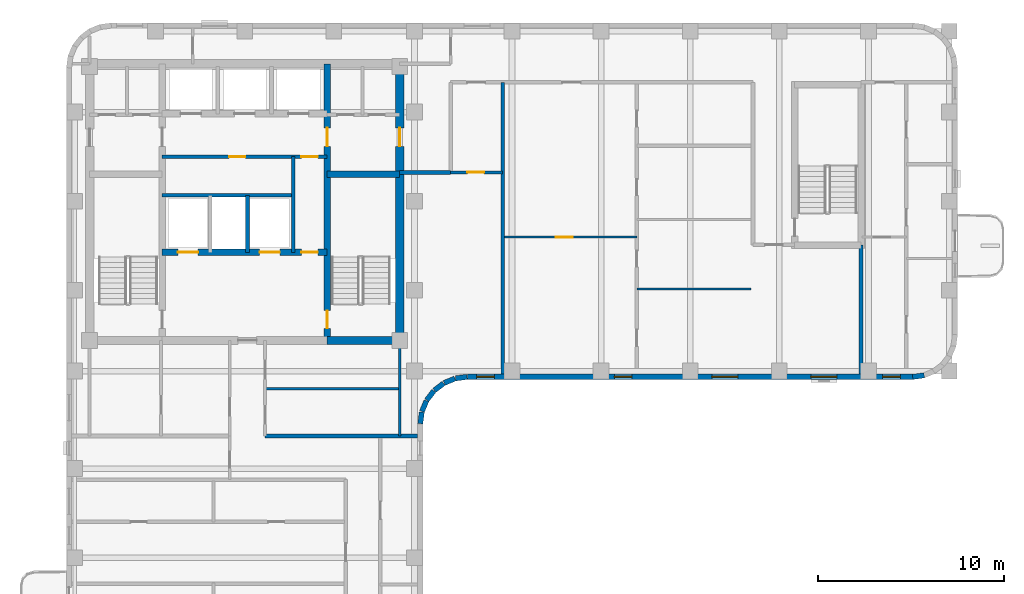
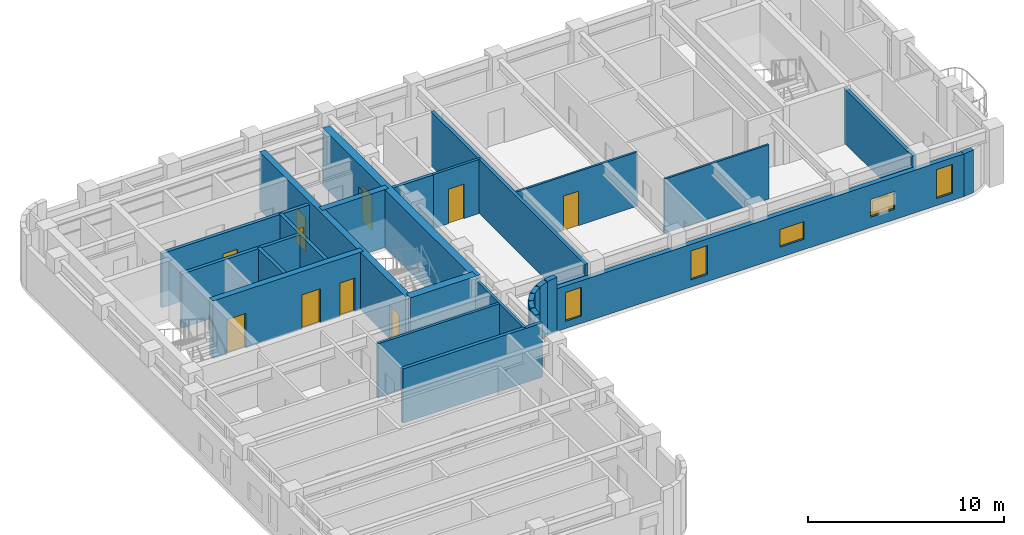
# One storey, part 4 of 10: 26 walls, 10 doors, 5 windows, 15 openings.
"""IFC4 building model written with IfcOpenShell, lengths in metres."""

from ifc_helpers import new_model, si_unit, direction, frame, frame_2d, origin, place, context, subcontext, project, spatial, rectangle, extrude, material, layer, layer_set, type_object, element, fill, save


model = new_model("IFC4")

# Units and contexts
model_context = context("Model", 3, precision=1e-05, world=origin(), true_north=direction((0.0, 1.0)))
body_context = subcontext(model_context, "Body", "Model", "MODEL_VIEW")
ifc_project = project(units=[si_unit("LENGTHUNIT", "METRE"), si_unit("AREAUNIT", "SQUARE_METRE"), si_unit("VOLUMEUNIT", "CUBIC_METRE"), si_unit("PLANEANGLEUNIT", "RADIAN"), si_unit("MASSUNIT", "GRAM", prefix="KILO")], contexts=[model_context])

# Site, building, storey
site_placement = place(None, origin())
site = spatial("IfcSite", under=ifc_project, at=site_placement, CompositionType="ELEMENT")
building_placement = place(site_placement, origin())
building = spatial("IfcBuilding", under=site, at=building_placement, Name="Orvandelia Arch Residences", CompositionType="ELEMENT")
storey_placement = place(building_placement, frame((0.0, 0.0, 229.0)))
storey = spatial("IfcBuildingStorey", under=building, at=storey_placement, Name="L60", CompositionType="ELEMENT", Elevation=229.0)

# Wall, openings, doors
ifc_material_1 = material(Name="Concrete C50/60", Category="concrete")
ifc_layer_1 = layer(ifc_material_1, 0.35009765625, Name="Concrete C50/60", Category="concrete")
ifc_layer_set_1 = layer_set([ifc_layer_1], Name="Concrete C50/60")
wall_type_1 = type_object("IfcWallType", Name="WL-CORE-350", PredefinedType="SHEAR", material=ifc_layer_set_1)
wall_1_placement = place(storey_placement, frame((18.840087890625, 30.89990234375, 0.0), z_axis=(0.0, 0.0, 1.0), x_axis=(0.0, 1.0, 0.0)))
wall_1 = element("IfcWall", 1, at=wall_1_placement, inside=storey, type_object=wall_type_1, Name="Core Shear Wall L60-WEB2", PredefinedType="SHEAR", context=body_context, shape_type="SweptSolid", body=[
    extrude(rectangle(XDim=14.900146484375, YDim=0.35009765625, at=frame_2d((7.4501953125, 0.0))), origin(), (0.0, 0.0, 1.0), 3.60009765625),
])
opening_1_placement = place(wall_1_placement, frame((0.64990234375, 0.0, 0.0)))
opening_1 = element("IfcOpeningElement", 2, at=opening_1_placement, cuts=wall_1, Name="Opening D7", PredefinedType="OPENING", context=body_context, shape_type="SweptSolid", body=[
    extrude(rectangle(XDim=0.949951171875, YDim=2.10009765625, at=frame_2d((0.47509765625, 1.050048828125))), frame((0.0, 0.18505859375, 0.0), z_axis=(0.0, -1.0, 0.0), x_axis=(1.0, 0.0, 0.0)), (0.0, 0.0, 1.0), 0.3701171875),
])
opening_2_placement = place(wall_1_placement, frame((10.449951171875, 0.0, 0.0)))
opening_2 = element("IfcOpeningElement", 3, at=opening_2_placement, cuts=wall_1, Name="Opening D6", PredefinedType="OPENING", context=body_context, shape_type="SweptSolid", body=[
    extrude(rectangle(XDim=1.0, YDim=2.14990234375, at=frame_2d((0.5, 1.074951171875))), frame((0.0, 0.18505859375, 0.0), z_axis=(0.0, -1.0, 0.0), x_axis=(1.0, 0.0, 0.0)), (0.0, 0.0, 1.0), 0.3701171875),
])
ifc_material_2 = material(Name="Smokeproof Painted Steel Fire Door", Category="steel")
door_type_1 = type_object("IfcDoorType", Name="DR-FD60-1000", OperationType="NOTDEFINED", PredefinedType="DOOR", material=ifc_material_2)
door_1_placement = place(opening_2_placement, origin())
door_1 = element("IfcDoor", 4, at=door_1_placement, inside=storey, type_object=door_type_1, Name="High-Rise Lift Hall East Vestibule Door L60", OperationType="SINGLE_SWING_RIGHT", OverallHeight=2.14990234375, OverallWidth=1.0, PredefinedType="DOOR", context=body_context, shape_type="SweptSolid", body=[
    extrude(rectangle(XDim=1.0, YDim=2.14990234375, at=frame_2d((0.5, 1.074951171875))), frame((0.0, 0.02490234375, 0.0), z_axis=(0.0, -1.0, 0.0), x_axis=(1.0, 0.0, 0.0)), (0.0, 0.0, 1.0), 0.050048828125),
])
fill(opening_2, door_1)
ifc_material_3 = material(Name="Pressurised Stairwell Fire Door")
door_type_2 = type_object("IfcDoorType", Name="DR-STAIR-950", OperationType="NOTDEFINED", PredefinedType="DOOR", material=ifc_material_3)
door_2_placement = place(opening_1_placement, origin())
door_2 = element("IfcDoor", 5, at=door_2_placement, inside=storey, type_object=door_type_2, Name="Stairwell ST-2 Fire Door L60", OperationType="SINGLE_SWING_RIGHT", OverallHeight=2.10009765625, OverallWidth=0.949951171875, PredefinedType="DOOR", context=body_context, shape_type="SweptSolid", body=[
    extrude(rectangle(XDim=0.949951171875, YDim=2.10009765625, at=frame_2d((0.47509765625, 1.050048828125))), frame((0.0, 0.02490234375, 0.0), z_axis=(0.0, -1.0, 0.0), x_axis=(1.0, 0.0, 0.0)), (0.0, 0.0, 1.0), 0.050048828125),
])
fill(opening_1, door_2)

# Wall
wall_2_placement = place(storey_placement, frame((18.840087890625, 39.85009765625, 0.0), z_axis=(0.0, 0.0, 1.0), x_axis=(1.0, 0.0, 0.0)))
element("IfcWall", 6, at=wall_2_placement, inside=storey, type_object=wall_type_1, Name="Core Shear Wall L60-HZ2", PredefinedType="SHEAR", context=body_context, shape_type="SweptSolid", body=[
    extrude(rectangle(XDim=3.909912109375, YDim=0.35009765625, at=frame_2d((1.955078125, 0.0))), origin(), (0.0, 0.0, 1.0), 3.60009765625),
])

# Wall, openings, doors
wall_3_placement = place(storey_placement, frame((9.9599609375, 35.64990234375, 0.0), z_axis=(0.0, 0.0, 1.0), x_axis=(1.0, 0.0, 0.0)))
wall_3 = element("IfcWall", 7, at=wall_3_placement, inside=storey, type_object=wall_type_1, Name="Core Shear Wall L60-HZ3", PredefinedType="SHEAR", context=body_context, shape_type="SweptSolid", body=[
    extrude(rectangle(XDim=8.880126953125, YDim=0.35009765625, at=frame_2d((4.43994140625, 0.0))), origin(), (0.0, 0.0, 1.0), 3.60009765625),
])
opening_3_placement = place(wall_3_placement, frame((0.840087890625, 0.0, 0.0)))
opening_3 = element("IfcOpeningElement", 8, at=opening_3_placement, cuts=wall_3, Name="Opening FLD", PredefinedType="OPENING", context=body_context, shape_type="SweptSolid", body=[
    extrude(rectangle(XDim=1.10009765625, YDim=2.14990234375, at=frame_2d((0.550048828125, 1.074951171875))), frame((0.0, 0.18505859375, 0.0), z_axis=(0.0, -1.0, 0.0), x_axis=(1.0, 0.0, 0.0)), (0.0, 0.0, 1.0), 0.3701171875),
])
opening_4_placement = place(wall_3_placement, frame((5.239990234375, 0.0, 0.0)))
opening_4 = element("IfcOpeningElement", 9, at=opening_4_placement, cuts=wall_3, Name="Opening FLD", PredefinedType="OPENING", context=body_context, shape_type="SweptSolid", body=[
    extrude(rectangle(XDim=1.10009765625, YDim=2.14990234375, at=frame_2d((0.550048828125, 1.074951171875))), frame((0.0, 0.18505859375, 0.0), z_axis=(0.0, -1.0, 0.0), x_axis=(1.0, 0.0, 0.0)), (0.0, 0.0, 1.0), 0.3701171875),
])
opening_5_placement = place(wall_3_placement, frame((7.5, 0.0, 0.0)))
opening_5 = element("IfcOpeningElement", 10, at=opening_5_placement, cuts=wall_3, Name="Opening D5", PredefinedType="OPENING", context=body_context, shape_type="SweptSolid", body=[
    extrude(rectangle(XDim=0.8798828125, YDim=2.10009765625, at=frame_2d((0.43994140625, 1.050048828125))), frame((0.0, 0.18505859375, 0.0), z_axis=(0.0, -1.0, 0.0), x_axis=(1.0, 0.0, 0.0)), (0.0, 0.0, 1.0), 0.3701171875),
])
ifc_material_4 = material(Name="Firefighting Lift Stainless Sliding Door")
door_type_3 = type_object("IfcDoorType", Name="DR-FLFT-1100", OperationType="NOTDEFINED", PredefinedType="DOOR", material=ifc_material_4)
door_3_placement = place(opening_3_placement, origin())
door_3 = element("IfcDoor", 11, at=door_3_placement, inside=storey, type_object=door_type_3, Name="Firefighting Lift Landing Door FLD-FL1-L60", OperationType="SLIDING_TO_LEFT", OverallHeight=2.14990234375, OverallWidth=1.10009765625, PredefinedType="DOOR", context=body_context, shape_type="SweptSolid", body=[
    extrude(rectangle(XDim=1.10009765625, YDim=2.14990234375, at=frame_2d((0.550048828125, 1.074951171875))), frame((0.0, 0.02490234375, 0.0), z_axis=(0.0, -1.0, 0.0), x_axis=(1.0, 0.0, 0.0)), (0.0, 0.0, 1.0), 0.050048828125),
])
fill(opening_3, door_3)
door_4_placement = place(opening_4_placement, origin())
door_4 = element("IfcDoor", 12, at=door_4_placement, inside=storey, type_object=door_type_3, Name="Firefighting Lift Landing Door FLD-FL2-L60", OperationType="SLIDING_TO_RIGHT", OverallHeight=2.14990234375, OverallWidth=1.10009765625, PredefinedType="DOOR", context=body_context, shape_type="SweptSolid", body=[
    extrude(rectangle(XDim=1.10009765625, YDim=2.14990234375, at=frame_2d((0.550048828125, 1.074951171875))), frame((0.0, 0.02490234375, 0.0), z_axis=(0.0, -1.0, 0.0), x_axis=(1.0, 0.0, 0.0)), (0.0, 0.0, 1.0), 0.050048828125),
])
fill(opening_4, door_4)
ifc_material_5 = material(Name="Painted Galvanised Steel Service Door", Category="steel")
door_type_4 = type_object("IfcDoorType", Name="DR-SRV-880", OperationType="NOTDEFINED", PredefinedType="DOOR", material=ifc_material_5)
door_5_placement = place(opening_5_placement, origin())
door_5 = element("IfcDoor", 13, at=door_5_placement, inside=storey, type_object=door_type_4, Name="Core Stairway Passage South Fire Door L60", OperationType="SINGLE_SWING_LEFT", OverallHeight=2.10009765625, OverallWidth=0.8798828125, PredefinedType="DOOR", context=body_context, shape_type="SweptSolid", body=[
    extrude(rectangle(XDim=0.8798828125, YDim=2.10009765625, at=frame_2d((0.43994140625, 1.050048828125))), frame((0.0, 0.02490234375, 0.0), z_axis=(0.0, -1.0, 0.0), x_axis=(1.0, 0.0, 0.0)), (0.0, 0.0, 1.0), 0.050048828125),
])
fill(opening_5, door_5)

# Wall, opening, door
ifc_layer_2 = layer(ifc_material_1, 0.449951171875, Name="Concrete C50/60", Category="concrete")
ifc_layer_set_2 = layer_set([ifc_layer_2], Name="Concrete C50/60")
wall_type_2 = type_object("IfcWallType", Name="WL-CORE-450", PredefinedType="SHEAR", material=ifc_layer_set_2)
wall_4_placement = place(storey_placement, frame((22.75, 30.675048828125, 0.0), z_axis=(0.0, 0.0, 1.0), x_axis=(0.0, 1.0, 0.0)))
wall_4 = element("IfcWall", 14, at=wall_4_placement, inside=storey, type_object=wall_type_2, Name="Core Shear Wall L60-E", PredefinedType="SHEAR", context=body_context, shape_type="SweptSolid", body=[
    extrude(rectangle(XDim=15.349853515625, YDim=0.449951171875, at=frame_2d((7.6748046875, 0.0))), origin(), (0.0, 0.0, 1.0), 3.60009765625),
])
opening_6_placement = place(wall_4_placement, frame((10.675048828125, 0.0, 0.0)))
opening_6 = element("IfcOpeningElement", 15, at=opening_6_placement, cuts=wall_4, Name="Opening D6", PredefinedType="OPENING", context=body_context, shape_type="SweptSolid", body=[
    extrude(rectangle(XDim=1.0, YDim=2.14990234375, at=frame_2d((0.5, 1.074951171875))), frame((0.0, 0.23486328125, 0.0), z_axis=(0.0, -1.0, 0.0), x_axis=(1.0, 0.0, 0.0)), (0.0, 0.0, 1.0), 0.469970703125),
])
door_6_placement = place(opening_6_placement, origin())
door_6 = element("IfcDoor", 16, at=door_6_placement, inside=storey, type_object=door_type_1, Name="Core East Corridor Link Door L60", OperationType="SINGLE_SWING_LEFT", OverallHeight=2.14990234375, OverallWidth=1.0, PredefinedType="DOOR", context=body_context, shape_type="SweptSolid", body=[
    extrude(rectangle(XDim=1.0, YDim=2.14990234375, at=frame_2d((0.5, 1.074951171875))), frame((0.0, 0.02490234375, 0.0), z_axis=(0.0, -1.0, 0.0), x_axis=(1.0, 0.0, 0.0)), (0.0, 0.0, 1.0), 0.050048828125),
])
fill(opening_6, door_6)

# Walls
wall_5_placement = place(storey_placement, frame((18.840087890625, 30.89990234375, 0.0), z_axis=(0.0, 0.0, 1.0), x_axis=(1.0, 0.0, 0.0)))
element("IfcWall", 17, at=wall_5_placement, inside=storey, type_object=wall_type_2, Name="Core Shear Wall L60-SE", PredefinedType="SHEAR", context=body_context, shape_type="SweptSolid", body=[
    extrude(rectangle(XDim=3.909912109375, YDim=0.449951171875, at=frame_2d((1.955078125, 0.0))), origin(), (0.0, 0.0, 1.0), 3.60009765625),
])
ifc_material_6 = material(Name="Fire-Rated Corridor Partition")
ifc_layer_3 = layer(ifc_material_6, 0.199951171875, Name="Fire-Rated Corridor Partition")
ifc_layer_set_3 = layer_set([ifc_layer_3], Name="Fire-Rated Corridor Partition")
wall_type_3 = type_object("IfcWallType", Name="WL-CORR-200", PredefinedType="PARTITIONING", material=ifc_layer_set_3)
wall_6_placement = place(storey_placement, frame((15.5, 25.75, 0.0), z_axis=(0.0, 0.0, 1.0), x_axis=(1.0, 0.0, 0.0)))
element("IfcWall", 18, at=wall_6_placement, inside=storey, type_object=wall_type_3, Name="Interior Partition Wall WL-L60-WLNK-NE", PredefinedType="PARTITIONING", context=body_context, shape_type="SweptSolid", body=[
    extrude(rectangle(XDim=8.219970703125, YDim=0.199951171875, at=frame_2d((4.10986328125, 0.0))), origin(), (0.0, 0.0, 1.0), 3.3798828125),
])
wall_7_placement = place(storey_placement, frame((22.75, 39.949951171875, 0.0), z_axis=(0.0, 0.0, 1.0), x_axis=(1.0, 0.0, 0.0)))
element("IfcWall", 19, at=wall_7_placement, inside=storey, type_object=wall_type_3, Name="Interior Partition Wall WL-L60-EN2-LS", PredefinedType="PARTITIONING", context=body_context, shape_type="SweptSolid", body=[
    extrude(rectangle(XDim=2.75, YDim=0.199951171875, at=frame_2d((1.375, 0.0))), origin(), (0.0, 0.0, 1.0), 3.3798828125),
])
ifc_material_7 = material(Name="Concrete C40/50", Category="concrete")
ifc_layer_4 = layer(ifc_material_7, 0.199951171875, Name="Concrete C40/50", Category="concrete")
ifc_layer_set_4 = layer_set([ifc_layer_4], Name="Concrete C40/50")
wall_type_4 = type_object("IfcWallType", Name="WL-DEM-200", PredefinedType="SOLIDWALL", material=ifc_layer_set_4)
wall_8_placement = place(storey_placement, frame((28.300048828125, 29.080078125, 0.0), z_axis=(0.0, 0.0, 1.0), x_axis=(0.0, 1.0, 0.0)))
element("IfcWall", 20, at=wall_8_placement, inside=storey, type_object=wall_type_4, Name="Interior Partition Wall WL-L60-EN2-KLE", PredefinedType="SOLIDWALL", context=body_context, shape_type="SweptSolid", body=[
    extrude(rectangle(XDim=15.719970703125, YDim=0.199951171875, at=frame_2d((7.85986328125, 0.0))), origin(), (0.0, 0.0, 1.0), 3.3798828125),
])
wall_9_placement = place(storey_placement, frame((47.60009765625, 29.080078125, 0.0), z_axis=(0.0, 0.0, 1.0), x_axis=(0.0, 1.0, 0.0)))
element("IfcWall", 21, at=wall_9_placement, inside=storey, type_object=wall_type_4, Name="Interior Partition Wall WL-L60-EN2-SLE", PredefinedType="SOLIDWALL", context=body_context, shape_type="SweptSolid", body=[
    extrude(rectangle(XDim=6.9599609375, YDim=0.199951171875, at=frame_2d((3.47998046875, 0.0))), origin(), (0.0, 0.0, 1.0), 3.3798828125),
])
ifc_material_8 = material(Name="Precast concrete C40/50", Category="concrete")
ifc_layer_5 = layer(ifc_material_8, 0.280029296875, Name="Precast concrete C40/50", Category="concrete")
ifc_layer_set_5 = layer_set([ifc_layer_5], Name="Precast concrete C40/50")
wall_type_5 = type_object("IfcWallType", Name="WL-EXT-STONE-280", PredefinedType="STANDARD", material=ifc_layer_set_5)
wall_10_placement = place(storey_placement, frame((51.0029296875, 29.0205078125, 0.0), z_axis=(0.0, 0.0, 1.0), x_axis=(-0.991447664465, -0.130504898859, 0.0)))
element("IfcWall", 22, at=wall_10_placement, inside=storey, type_object=wall_type_5, Name="Coral-Limestone Precast Facade Wall L60-020", PredefinedType="STANDARD", context=body_context, shape_type="SweptSolid", body=[
    extrude(rectangle(XDim=0.626708984375, YDim=0.280029296875, at=frame_2d((0.3134765625, 0.0))), origin(), (0.0, 0.0, 1.0), 2.659912109375),
])

# Wall, openings, windows
wall_11_placement = place(storey_placement, frame((50.39990234375, 28.93994140625, 0.0), z_axis=(0.0, 0.0, 1.0), x_axis=(-1.0, 0.0, 0.0)))
wall_11 = element("IfcWall", 23, at=wall_11_placement, inside=storey, type_object=wall_type_5, Name="Coral-Limestone Precast Facade Wall L60-021", PredefinedType="STANDARD", context=body_context, shape_type="SweptSolid", body=[
    extrude(rectangle(XDim=24.0, YDim=0.280029296875, at=frame_2d((12.0, 0.0))), origin(), (0.0, 0.0, 1.0), 2.659912109375),
])
opening_7_placement = place(wall_11_placement, frame((9.4375, 0.0, 0.64990234375)))
opening_7 = element("IfcOpeningElement", 24, at=opening_7_placement, cuts=wall_11, Name="Opening W10", PredefinedType="OPENING", context=body_context, shape_type="SweptSolid", body=[
    extrude(rectangle(XDim=1.39990234375, YDim=1.10009765625, at=frame_2d((0.699951171875, 0.550048828125))), frame((0.0, 0.14990234375, 0.0), z_axis=(0.0, -1.0, 0.0), x_axis=(1.0, 0.0, 0.0)), (0.0, 0.0, 1.0), 0.300048828125),
])
opening_8_placement = place(wall_11_placement, frame((22.554931640625, 0.0, 0.449951171875)))
opening_8 = element("IfcOpeningElement", 25, at=opening_8_placement, cuts=wall_11, Name="Opening W4", PredefinedType="OPENING", context=body_context, shape_type="SweptSolid", body=[
    extrude(rectangle(XDim=0.949951171875, YDim=1.800048828125, at=frame_2d((0.47509765625, 0.89990234375))), frame((0.0, 0.14990234375, 0.0), z_axis=(0.0, -1.0, 0.0), x_axis=(1.0, 0.0, 0.0)), (0.0, 0.0, 1.0), 0.300048828125),
])
opening_9_placement = place(wall_11_placement, frame((4.10009765625, 0.0, 0.64990234375)))
opening_9 = element("IfcOpeningElement", 26, at=opening_9_placement, cuts=wall_11, Name="Opening W10", PredefinedType="OPENING", context=body_context, shape_type="SweptSolid", body=[
    extrude(rectangle(XDim=1.39990234375, YDim=1.10009765625, at=frame_2d((0.699951171875, 0.550048828125))), frame((0.0, 0.14990234375, 0.0), z_axis=(0.0, -1.0, 0.0), x_axis=(1.0, 0.0, 0.0)), (0.0, 0.0, 1.0), 0.300048828125),
])
opening_10_placement = place(wall_11_placement, frame((15.138427734375, 0.0, 0.449951171875)))
opening_10 = element("IfcOpeningElement", 27, at=opening_10_placement, cuts=wall_11, Name="Opening W4", PredefinedType="OPENING", context=body_context, shape_type="SweptSolid", body=[
    extrude(rectangle(XDim=0.949951171875, YDim=1.800048828125, at=frame_2d((0.47509765625, 0.89990234375))), frame((0.0, 0.14990234375, 0.0), z_axis=(0.0, -1.0, 0.0), x_axis=(1.0, 0.0, 0.0)), (0.0, 0.0, 1.0), 0.300048828125),
])
opening_11_placement = place(wall_11_placement, frame((0.680908203125, 0.0, 0.449951171875)))
opening_11 = element("IfcOpeningElement", 28, at=opening_11_placement, cuts=wall_11, Name="Opening W4", PredefinedType="OPENING", context=body_context, shape_type="SweptSolid", body=[
    extrude(rectangle(XDim=0.949951171875, YDim=1.800048828125, at=frame_2d((0.47509765625, 0.89990234375))), frame((0.0, 0.14990234375, 0.0), z_axis=(0.0, -1.0, 0.0), x_axis=(1.0, 0.0, 0.0)), (0.0, 0.0, 1.0), 0.300048828125),
])
ifc_material_9 = material(Name="Tempered Low-E Insulated Glazing", Category="glass")
window_type_1 = type_object("IfcWindowType", Name="WIN-CLR-1400x1100", PartitioningType="SINGLE_PANEL", PredefinedType="WINDOW", material=ifc_material_9)
window_1_placement = place(opening_7_placement, origin())
window_1 = element("IfcWindow", 29, at=window_1_placement, inside=storey, type_object=window_type_1, Name="Recessed Punched Window L60-007", OverallHeight=1.10009765625, OverallWidth=1.39990234375, PartitioningType="SINGLE_PANEL", PredefinedType="WINDOW", context=body_context, shape_type="SweptSolid", body=[
    extrude(rectangle(XDim=1.39990234375, YDim=1.10009765625, at=frame_2d((0.699951171875, 0.550048828125))), frame((0.0, 0.030029296875, 0.0), z_axis=(0.0, -1.0, 0.0), x_axis=(1.0, 0.0, 0.0)), (0.0, 0.0, 1.0), 0.06005859375),
])
fill(opening_7, window_1)
window_2_placement = place(opening_9_placement, origin())
window_2 = element("IfcWindow", 30, at=window_2_placement, inside=storey, type_object=window_type_1, Name="Recessed Punched Window L60-009", OverallHeight=1.10009765625, OverallWidth=1.39990234375, PartitioningType="SINGLE_PANEL", PredefinedType="WINDOW", context=body_context, shape_type="SweptSolid", body=[
    extrude(rectangle(XDim=1.39990234375, YDim=1.10009765625, at=frame_2d((0.699951171875, 0.550048828125))), frame((0.0, 0.030029296875, 0.0), z_axis=(0.0, -1.0, 0.0), x_axis=(1.0, 0.0, 0.0)), (0.0, 0.0, 1.0), 0.06005859375),
])
fill(opening_9, window_2)
window_type_2 = type_object("IfcWindowType", Name="WIN-RES-0950x1800", PartitioningType="SINGLE_PANEL", PredefinedType="WINDOW", material=ifc_material_9)
window_3_placement = place(opening_8_placement, origin())
window_3 = element("IfcWindow", 31, at=window_3_placement, inside=storey, type_object=window_type_2, Name="Recessed Punched Window L60-008", OverallHeight=1.800048828125, OverallWidth=0.949951171875, PartitioningType="SINGLE_PANEL", PredefinedType="WINDOW", context=body_context, shape_type="SweptSolid", body=[
    extrude(rectangle(XDim=0.949951171875, YDim=1.800048828125, at=frame_2d((0.47509765625, 0.89990234375))), frame((0.0, 0.030029296875, 0.0), z_axis=(0.0, -1.0, 0.0), x_axis=(1.0, 0.0, 0.0)), (0.0, 0.0, 1.0), 0.06005859375),
])
fill(opening_8, window_3)
window_4_placement = place(opening_10_placement, origin())
window_4 = element("IfcWindow", 32, at=window_4_placement, inside=storey, type_object=window_type_2, Name="Recessed Punched Window L60-010", OverallHeight=1.800048828125, OverallWidth=0.949951171875, PartitioningType="SINGLE_PANEL", PredefinedType="WINDOW", context=body_context, shape_type="SweptSolid", body=[
    extrude(rectangle(XDim=0.949951171875, YDim=1.800048828125, at=frame_2d((0.47509765625, 0.89990234375))), frame((0.0, 0.030029296875, 0.0), z_axis=(0.0, -1.0, 0.0), x_axis=(1.0, 0.0, 0.0)), (0.0, 0.0, 1.0), 0.06005859375),
])
fill(opening_10, window_4)
window_5_placement = place(opening_11_placement, origin())
window_5 = element("IfcWindow", 33, at=window_5_placement, inside=storey, type_object=window_type_2, Name="Recessed Punched Window L60-011", OverallHeight=1.800048828125, OverallWidth=0.949951171875, PartitioningType="SINGLE_PANEL", PredefinedType="WINDOW", context=body_context, shape_type="SweptSolid", body=[
    extrude(rectangle(XDim=0.949951171875, YDim=1.800048828125, at=frame_2d((0.47509765625, 0.89990234375))), frame((0.0, 0.030029296875, 0.0), z_axis=(0.0, -1.0, 0.0), x_axis=(1.0, 0.0, 0.0)), (0.0, 0.0, 1.0), 0.06005859375),
])
fill(opening_11, window_5)

# Walls
wall_12_placement = place(storey_placement, frame((26.381591796875, 28.938720703125, 0.0), z_axis=(0.0, 0.0, 1.0), x_axis=(-0.9914410257, -0.130555323746, 0.0)))
element("IfcWall", 34, at=wall_12_placement, inside=storey, type_object=wall_type_5, Name="Coral-Limestone Precast Facade Wall L60-022", PredefinedType="STANDARD", context=body_context, shape_type="SweptSolid", body=[
    extrude(rectangle(XDim=0.62646484375, YDim=0.280029296875, at=frame_2d((0.313232421875, 0.0))), origin(), (0.0, 0.0, 1.0), 3.3798828125),
])
wall_13_placement = place(storey_placement, frame((25.72509765625, 28.847412109375, 0.0), z_axis=(0.0, 0.0, 1.0), x_axis=(-0.923974080304, -0.382455093999, 0.0)))
element("IfcWall", 35, at=wall_13_placement, inside=storey, type_object=wall_type_5, Name="Coral-Limestone Precast Facade Wall L60-023", PredefinedType="STANDARD", context=body_context, shape_type="SweptSolid", body=[
    extrude(rectangle(XDim=0.626220703125, YDim=0.280029296875, at=frame_2d((0.31298828125, 0.0))), origin(), (0.0, 0.0, 1.0), 3.3798828125),
])
for number, where, z_axis, x_axis, name in (
    (36, (25.11474609375, 28.589599609375, 0.0), (0.0, 0.0, 1.0), (-0.793405610854, -0.608693302629, 0.0), "Coral-Limestone Precast Facade Wall L60-024"),
    (37, (24.591796875, 28.182373046875, 0.0), (0.0, 0.0, 1.0), (-0.608693302629, -0.793405610854, 0.0), "Coral-Limestone Precast Facade Wall L60-025"),
    (38, (24.192138671875, 27.653564453125, 0.0), (0.0, 0.0, 1.0), (-0.382650053678, -0.92389335771, 0.0), "Coral-Limestone Precast Facade Wall L60-026"),
):
    element("IfcWall", number, at=place(storey_placement, frame(where, z_axis=z_axis, x_axis=x_axis)), inside=storey, type_object=wall_type_5, Name=name, PredefinedType="STANDARD", context=body_context, shape_type="SweptSolid", body=[
        extrude(rectangle(XDim=0.62646484375, YDim=0.280029296875, at=frame_2d((0.313232421875, 0.0))), origin(), (0.0, 0.0, 1.0), 3.3798828125),
    ])
wall_14_placement = place(storey_placement, frame((23.943115234375, 27.03955078125, 0.0), z_axis=(0.0, 0.0, 1.0), x_axis=(-0.130887801573, -0.991397187508, 0.0)))
element("IfcWall", 39, at=wall_14_placement, inside=storey, type_object=wall_type_5, Name="Coral-Limestone Precast Facade Wall L60-027", PredefinedType="STANDARD", context=body_context, shape_type="SweptSolid", body=[
    extrude(rectangle(XDim=0.626708984375, YDim=0.280029296875, at=frame_2d((0.3134765625, 0.0))), origin(), (0.0, 0.0, 1.0), 3.3798828125),
])

# Wall, opening, door
ifc_material_10 = material(Name="Lightweight Gypsum Stud Partition")
ifc_layer_6 = layer(ifc_material_10, 0.1201171875, Name="Lightweight Gypsum Stud Partition")
ifc_layer_set_6 = layer_set([ifc_layer_6], Name="Lightweight Gypsum Stud Partition")
wall_type_6 = type_object("IfcWallType", Name="WL-PART-120", PredefinedType="PARTITIONING", material=ifc_layer_set_6)
wall_15_placement = place(storey_placement, frame((28.39990234375, 36.468017578125, 0.0), z_axis=(0.0, 0.0, 1.0), x_axis=(1.0, 0.0, 0.0)))
wall_15 = element("IfcWall", 40, at=wall_15_placement, inside=storey, type_object=wall_type_6, Name="Interior Partition Wall WL-L60-U04-DIN", PredefinedType="PARTITIONING", context=body_context, shape_type="SweptSolid", body=[
    extrude(rectangle(XDim=7.128173828125, YDim=0.1201171875, at=frame_2d((3.56396484375, 0.0))), origin(), (0.0, 0.0, 1.0), 3.3798828125),
])
opening_12_placement = place(wall_15_placement, frame((2.7666015625, 0.0, 0.0)))
opening_12 = element("IfcOpeningElement", 41, at=opening_12_placement, cuts=wall_15, Name="Opening D3", PredefinedType="OPENING", context=body_context, shape_type="SweptSolid", body=[
    extrude(rectangle(XDim=0.89990234375, YDim=2.14990234375, at=frame_2d((0.449951171875, 1.074951171875))), frame((0.0, 0.070068359375, 0.0), z_axis=(0.0, -1.0, 0.0), x_axis=(1.0, 0.0, 0.0)), (0.0, 0.0, 1.0), 0.14013671875),
])
ifc_material_11 = material(Name="Engineered Timber Flush Door", Category="wood")
door_type_5 = type_object("IfcDoorType", Name="DR-INT-900", OperationType="NOTDEFINED", PredefinedType="DOOR", material=ifc_material_11)
door_7_placement = place(opening_12_placement, origin())
door_7 = element("IfcDoor", 42, at=door_7_placement, inside=storey, type_object=door_type_5, Name="DR-L60-U04-DIN", OperationType="SINGLE_SWING_LEFT", OverallHeight=2.14990234375, OverallWidth=0.89990234375, PredefinedType="DOOR", context=body_context, shape_type="SweptSolid", body=[
    extrude(rectangle(XDim=0.89990234375, YDim=2.14990234375, at=frame_2d((0.449951171875, 1.074951171875))), frame((0.0, 0.02490234375, 0.0), z_axis=(0.0, -1.0, 0.0), x_axis=(1.0, 0.0, 0.0)), (0.0, 0.0, 1.0), 0.050048828125),
])
fill(opening_12, door_7)

# Walls
wall_16_placement = place(storey_placement, frame((35.528076171875, 33.6708984375, 0.0), z_axis=(0.0, 0.0, 1.0), x_axis=(1.0, 0.0, 0.0)))
element("IfcWall", 43, at=wall_16_placement, inside=storey, type_object=wall_type_6, Name="Interior Partition Wall WL-L60-U04-H1", PredefinedType="PARTITIONING", context=body_context, shape_type="SweptSolid", body=[
    extrude(rectangle(XDim=6.15185546875, YDim=0.1201171875, at=frame_2d((3.075927734375, 0.0))), origin(), (0.0, 0.0, 1.0), 3.3798828125),
])
ifc_material_12 = material(Name="Acoustic Gypsum Stud Partition")
ifc_layer_7 = layer(ifc_material_12, 0.14990234375, Name="Acoustic Gypsum Stud Partition")
ifc_layer_set_7 = layer_set([ifc_layer_7], Name="Acoustic Gypsum Stud Partition")
wall_type_7 = type_object("IfcWallType", Name="WL-PART-150", PredefinedType="PARTITIONING", material=ifc_layer_set_7)
wall_17_placement = place(storey_placement, frame((22.75, 25.75, 0.0), z_axis=(0.0, 0.0, 1.0), x_axis=(0.0, 1.0, 0.0)))
element("IfcWall", 44, at=wall_17_placement, inside=storey, type_object=wall_type_7, Name="Interior Partition Wall WL-L60-HI-WE", PredefinedType="PARTITIONING", context=body_context, shape_type="SweptSolid", body=[
    extrude(rectangle(XDim=5.14990234375, YDim=0.14990234375, at=frame_2d((2.574951171875, 0.0))), origin(), (0.0, 0.0, 1.0), 3.3798828125),
])
wall_18_placement = place(storey_placement, frame((15.5, 28.300048828125, 0.0), z_axis=(0.0, 0.0, 1.0), x_axis=(1.0, 0.0, 0.0)))
element("IfcWall", 45, at=wall_18_placement, inside=storey, type_object=wall_type_7, Name="Interior Partition Wall WL-L60-HIR-H2", PredefinedType="PARTITIONING", context=body_context, shape_type="SweptSolid", body=[
    extrude(rectangle(XDim=7.25, YDim=0.14990234375, at=frame_2d((3.625, 0.0))), origin(), (0.0, 0.0, 1.0), 3.3798828125),
])

# Wall, opening, door
wall_19_placement = place(storey_placement, frame((25.5, 39.949951171875, 0.0), z_axis=(0.0, 0.0, 1.0), x_axis=(1.0, 0.0, 0.0)))
wall_19 = element("IfcWall", 46, at=wall_19_placement, inside=storey, type_object=wall_type_7, Name="Interior Partition Wall WL-L60-EN2-KLN", PredefinedType="PARTITIONING", context=body_context, shape_type="SweptSolid", body=[
    extrude(rectangle(XDim=2.800048828125, YDim=0.14990234375, at=frame_2d((1.39990234375, 0.0))), origin(), (0.0, 0.0, 1.0), 3.3798828125),
])
opening_13_placement = place(wall_19_placement, frame((0.89990234375, 0.0, 0.0)))
opening_13 = element("IfcOpeningElement", 47, at=opening_13_placement, cuts=wall_19, Name="Opening D3", PredefinedType="OPENING", context=body_context, shape_type="SweptSolid", body=[
    extrude(rectangle(XDim=0.89990234375, YDim=2.14990234375, at=frame_2d((0.449951171875, 1.074951171875))), frame((0.0, 0.0849609375, 0.0), z_axis=(0.0, -1.0, 0.0), x_axis=(1.0, 0.0, 0.0)), (0.0, 0.0, 1.0), 0.169921875),
])
door_8_placement = place(opening_13_placement, origin())
door_8 = element("IfcDoor", 48, at=door_8_placement, inside=storey, type_object=door_type_5, Name="DR-L60-EN2KNK", OperationType="SINGLE_SWING_RIGHT", OverallHeight=2.14990234375, OverallWidth=0.89990234375, PredefinedType="DOOR", context=body_context, shape_type="SweptSolid", body=[
    extrude(rectangle(XDim=0.89990234375, YDim=2.14990234375, at=frame_2d((0.449951171875, 1.074951171875))), frame((0.0, 0.02490234375, 0.0), z_axis=(0.0, -1.0, 0.0), x_axis=(1.0, 0.0, 0.0)), (0.0, 0.0, 1.0), 0.050048828125),
])
fill(opening_13, door_8)

# Walls
ifc_material_13 = material(Name="Fire-Rated Shaft Enclosure Wall")
ifc_layer_8 = layer(ifc_material_13, 0.199951171875, Name="Fire-Rated Shaft Enclosure Wall")
ifc_layer_set_8 = layer_set([ifc_layer_8], Name="Fire-Rated Shaft Enclosure Wall")
wall_type_8 = type_object("IfcWallType", Name="WL-SHAFT-200", PredefinedType="POLYGONAL", material=ifc_layer_set_8)
wall_20_placement = place(storey_placement, frame((9.9599609375, 38.719970703125, 0.0), z_axis=(0.0, 0.0, 1.0), x_axis=(1.0, 0.0, 0.0)))
element("IfcWall", 49, at=wall_20_placement, inside=storey, type_object=wall_type_8, Name="Interior Partition Wall WL-L60-FLN", PredefinedType="POLYGONAL", context=body_context, shape_type="SweptSolid", body=[
    extrude(rectangle(XDim=7.06005859375, YDim=0.199951171875, at=frame_2d((3.530029296875, 0.0))), origin(), (0.0, 0.0, 1.0), 3.3798828125),
])
wall_21_placement = place(storey_placement, frame((14.550048828125, 35.64990234375, 0.0), z_axis=(0.0, 0.0, 1.0), x_axis=(0.0, 1.0, 0.0)))
element("IfcWall", 50, at=wall_21_placement, inside=storey, type_object=wall_type_8, Name="Interior Partition Wall WL-L60-FLM2", PredefinedType="POLYGONAL", context=body_context, shape_type="SweptSolid", body=[
    extrude(rectangle(XDim=3.070068359375, YDim=0.199951171875, at=frame_2d((1.53515625, 0.0))), origin(), (0.0, 0.0, 1.0), 3.3798828125),
])
wall_22_placement = place(storey_placement, frame((17.02001953125, 35.64990234375, 0.0), z_axis=(0.0, 0.0, 1.0), x_axis=(0.0, 1.0, 0.0)))
element("IfcWall", 51, at=wall_22_placement, inside=storey, type_object=wall_type_8, Name="Interior Partition Wall WL-L60-FLM3", PredefinedType="POLYGONAL", context=body_context, shape_type="SweptSolid", body=[
    extrude(rectangle(XDim=5.150146484375, YDim=0.199951171875, at=frame_2d((2.5751953125, 0.0))), origin(), (0.0, 0.0, 1.0), 3.3798828125),
])

# Wall, openings, doors
wall_23_placement = place(storey_placement, frame((9.9599609375, 40.800048828125, 0.0), z_axis=(0.0, 0.0, 1.0), x_axis=(1.0, 0.0, 0.0)))
wall_23 = element("IfcWall", 52, at=wall_23_placement, inside=storey, type_object=wall_type_8, Name="Interior Partition Wall WL-L60-HLH-S", PredefinedType="POLYGONAL", context=body_context, shape_type="SweptSolid", body=[
    extrude(rectangle(XDim=8.880126953125, YDim=0.199951171875, at=frame_2d((4.43994140625, 0.0))), origin(), (0.0, 0.0, 1.0), 3.3798828125),
])
opening_14_placement = place(wall_23_placement, frame((7.5, 0.0, 0.0)))
opening_14 = element("IfcOpeningElement", 53, at=opening_14_placement, cuts=wall_23, Name="Opening D5", PredefinedType="OPENING", context=body_context, shape_type="SweptSolid", body=[
    extrude(rectangle(XDim=0.8798828125, YDim=2.10009765625, at=frame_2d((0.43994140625, 1.050048828125))), frame((0.0, 0.10986328125, 0.0), z_axis=(0.0, -1.0, 0.0), x_axis=(1.0, 0.0, 0.0)), (0.0, 0.0, 1.0), 0.219970703125),
])
opening_15_placement = place(wall_23_placement, frame((3.60009765625, 0.0, 0.0)))
opening_15 = element("IfcOpeningElement", 54, at=opening_15_placement, cuts=wall_23, Name="Opening D5", PredefinedType="OPENING", context=body_context, shape_type="SweptSolid", body=[
    extrude(rectangle(XDim=0.8798828125, YDim=2.10009765625, at=frame_2d((0.43994140625, 1.050048828125))), frame((0.0, 0.10986328125, 0.0), z_axis=(0.0, -1.0, 0.0), x_axis=(1.0, 0.0, 0.0)), (0.0, 0.0, 1.0), 0.219970703125),
])
door_9_placement = place(opening_14_placement, origin())
door_9 = element("IfcDoor", 55, at=door_9_placement, inside=storey, type_object=door_type_4, Name="Core Stairway Passage North Fire Door L60", OperationType="SINGLE_SWING_RIGHT", OverallHeight=2.10009765625, OverallWidth=0.8798828125, PredefinedType="DOOR", context=body_context, shape_type="SweptSolid", body=[
    extrude(rectangle(XDim=0.8798828125, YDim=2.10009765625, at=frame_2d((0.43994140625, 1.050048828125))), frame((0.0, 0.02490234375, 0.0), z_axis=(0.0, -1.0, 0.0), x_axis=(1.0, 0.0, 0.0)), (0.0, 0.0, 1.0), 0.050048828125),
])
fill(opening_14, door_9)
door_10_placement = place(opening_15_placement, origin())
door_10 = element("IfcDoor", 56, at=door_10_placement, inside=storey, type_object=door_type_4, Name="DR-L60-CSA1", OperationType="SINGLE_SWING_LEFT", OverallHeight=2.10009765625, OverallWidth=0.8798828125, PredefinedType="DOOR", context=body_context, shape_type="SweptSolid", body=[
    extrude(rectangle(XDim=0.8798828125, YDim=2.10009765625, at=frame_2d((0.43994140625, 1.050048828125))), frame((0.0, 0.02490234375, 0.0), z_axis=(0.0, -1.0, 0.0), x_axis=(1.0, 0.0, 0.0)), (0.0, 0.0, 1.0), 0.050048828125),
])
fill(opening_15, door_10)

save(model, "model.ifc")
